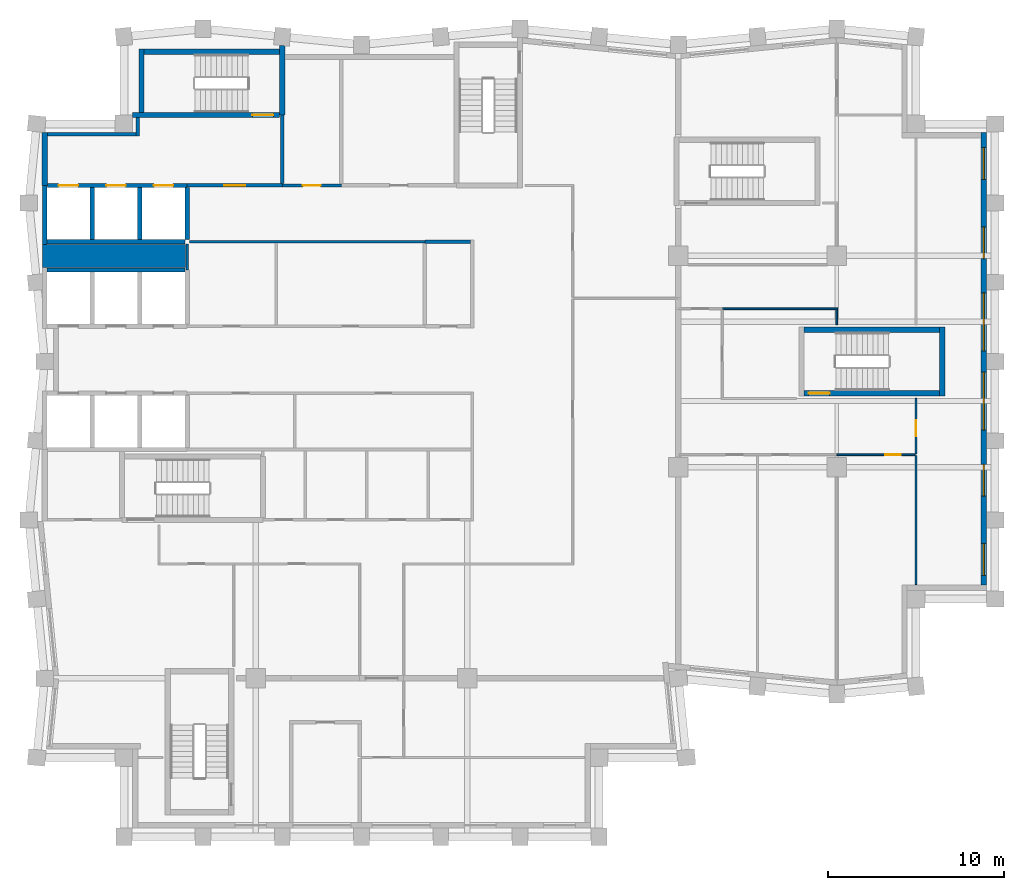
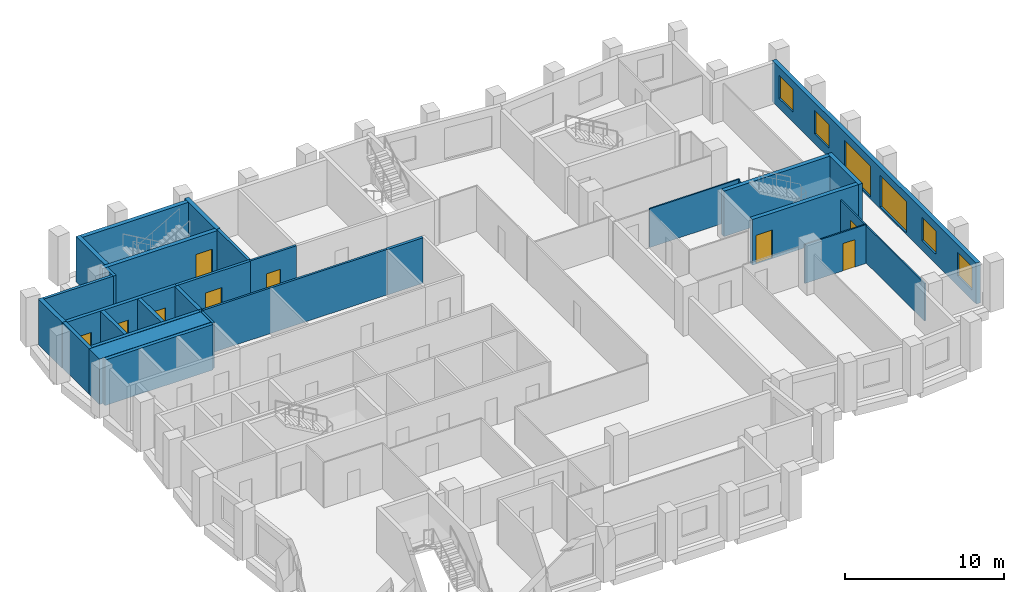
# One storey, part 5 of 8: 30 walls, 9 doors, 6 windows, 15 openings.
"""IFC4 building model written with IfcOpenShell, lengths in metres."""

import ifcopenshell
import ifcopenshell.guid

model = None  # the IFC model being written
_history = None  # IfcOwnerHistory: only IFC2X3 demands one
_inside = {}  # id of a spatial element -> (the spatial element, [elements in it])
_under = {}  # id of a project, library or spatial element -> (it, [spatial elements below it])
_declared = {}  # id of a project -> (the project, [libraries it declares])
_typed = {}  # id of a type object -> (the type object, [elements of that type])
_made_of = {}  # id of a material, layer set ... -> (it, [elements and type objects made of it])


def new_model(schema):
    """Start an empty IFC model of exactly this schema.

    Asked for "IFC4X3", IfcOpenShell would pick the latest addendum, in which some entities
    have other attributes; the version numbers below select the first issue.
    IFC2X3 requires an IfcOwnerHistory on every rooted entity: one is made here for all.
    """
    global model, _history
    if schema == "IFC4X3":
        model = ifcopenshell.file(schema_version=(4, 3, 0, 0))
    else:
        model = ifcopenshell.file(schema=schema)
    _inside.clear()
    _under.clear()
    _declared.clear()
    _typed.clear()
    _made_of.clear()
    _history = None
    if model.schema == "IFC2X3":
        org = make("IfcOrganization", Name="unknown")
        user = make(
            "IfcPersonAndOrganization",
            ThePerson=make("IfcPerson", FamilyName="unknown"),
            TheOrganization=org,
        )
        app = make(
            "IfcApplication",
            ApplicationDeveloper=org,
            Version="unknown",
            ApplicationFullName="unknown",
            ApplicationIdentifier="unknown",
        )
        _history = make(
            "IfcOwnerHistory",
            OwningUser=user,
            OwningApplication=app,
            ChangeAction="ADDED",
            CreationDate=0,
        )
    return model


def make(cls, **values):
    """One entity of the class cls with the attributes given. An attribute that is None is left unset."""
    return model.create_entity(
        cls, **{name: value for name, value in values.items() if value is not None}
    )


def rooted(cls, **values):
    """An entity with a GlobalId (a new one), such as an element, a storey or a relation."""
    return make(cls, GlobalId=ifcopenshell.guid.new(), OwnerHistory=_history, **values)


def si_unit(unit_type, name, prefix=None):
    """IfcSIUnit, for example si_unit("LENGTHUNIT", "METRE", prefix="MILLI")."""
    return make("IfcSIUnit", UnitType=unit_type, Prefix=prefix, Name=name)


def assignment(units):
    """IfcUnitAssignment: the units of a project."""
    return None if units is None else make("IfcUnitAssignment", Units=units)


def point(xyz):
    """IfcCartesianPoint."""
    return None if xyz is None else make("IfcCartesianPoint", Coordinates=xyz)


def direction(xyz):
    """IfcDirection."""
    return None if xyz is None else make("IfcDirection", DirectionRatios=xyz)


def frame(location, z_axis=None, x_axis=None):
    """IfcAxis2Placement3D, a coordinate frame: its origin and axes. An axis left out is left unset."""
    return make(
        "IfcAxis2Placement3D",
        Location=point(location),
        Axis=direction(z_axis),
        RefDirection=direction(x_axis),
    )


def frame_2d(location, x_axis=None):
    """IfcAxis2Placement2D, a coordinate frame in the plane: its origin and x axis."""
    return make(
        "IfcAxis2Placement2D", Location=point(location), RefDirection=direction(x_axis)
    )


def origin():
    """The frame at (0, 0, 0) with its axes left unset."""
    return frame((0.0, 0.0, 0.0))


def place(relative_to, where):
    """IfcLocalPlacement: puts the frame where relative to a parent placement (None: the world)."""
    return make(
        "IfcLocalPlacement", PlacementRelTo=relative_to, RelativePlacement=where
    )


def context(
    kind, dimensions, precision=None, world=None, true_north=None, identifier=None
):
    """IfcGeometricRepresentationContext, for example the 3D "Model" context."""
    return make(
        "IfcGeometricRepresentationContext",
        ContextIdentifier=identifier,
        ContextType=kind,
        CoordinateSpaceDimension=dimensions,
        Precision=precision,
        WorldCoordinateSystem=world,
        TrueNorth=true_north,
    )


def subcontext(parent, identifier, kind, view, scale=None):
    """IfcGeometricRepresentationSubContext, for example "Body" below "Model"."""
    return make(
        "IfcGeometricRepresentationSubContext",
        ContextIdentifier=identifier,
        ContextType=kind,
        ParentContext=parent,
        TargetScale=scale,
        TargetView=view,
    )


def project(units=None, contexts=None):
    """IfcProject with its units and contexts."""
    return rooted(
        "IfcProject",
        Name="project",
        RepresentationContexts=contexts,
        UnitsInContext=assignment(units),
    )


def spatial(cls, under=None, at=None, **own):
    """A site, building, storey or space (cls), placed at a placement, below another one or the project."""
    s = rooted(cls, ObjectPlacement=at, **own)
    if under is not None:
        _under.setdefault(under.id(), (under, []))[1].append(s)
    return s


def profile(cls, at=None, kind="AREA", **sizes):
    """A parametric profile (cls). Its sizes go by their IFC names, for example OverallWidth=200.0."""
    return make(cls, ProfileType=kind, Position=at, **sizes)


def rectangle(**sizes):
    """IfcRectangleProfileDef."""
    return profile("IfcRectangleProfileDef", **sizes)


def extrude(swept, where, along, depth):
    """IfcExtrudedAreaSolid: the profile swept, set in the frame where, extruded along a direction by depth."""
    return make(
        "IfcExtrudedAreaSolid",
        SweptArea=swept,
        Position=where,
        ExtrudedDirection=direction(along),
        Depth=depth,
    )


def shape(context_of_items, identifier, shape_type, items):
    """IfcShapeRepresentation: the items that make up one representation, for example the "Body"."""
    return make(
        "IfcShapeRepresentation",
        ContextOfItems=context_of_items,
        RepresentationIdentifier=identifier,
        RepresentationType=shape_type,
        Items=items,
    )


def material(Name=None, Category=None):
    """IfcMaterial."""
    return make("IfcMaterial", Name=Name, Category=Category)


def layer(
    of_material, thickness, ventilated=None, Name=None, Category=None, Priority=None
):
    """IfcMaterialLayer: one layer of a wall or slab, of a material (None: an air gap)."""
    return make(
        "IfcMaterialLayer",
        Material=of_material,
        LayerThickness=thickness,
        IsVentilated=ventilated,
        Name=Name,
        Category=Category,
        Priority=Priority,
    )


def layer_set(layers, Name=None):
    """IfcMaterialLayerSet."""
    return make("IfcMaterialLayerSet", MaterialLayers=layers, LayerSetName=Name)


def made_of(thing, what):
    """Note that an element or type object is made of a material, layer set ...; save() writes the relation."""
    if what is not None:
        _made_of.setdefault(what.id(), (what, []))[1].append(thing)
    return thing


def type_object(cls, material=None, **own):
    """A type object (cls), such as IfcWallType, which elements share."""
    return made_of(rooted(cls, **own), material)


def element(
    cls,
    number,
    at=None,
    inside=None,
    cuts=None,
    type_object=None,
    material=None,
    context=None,
    identifier="Body",
    shape_type=None,
    held_by="IfcProductDefinitionShape",
    body=None,
    shapes=None,
    **own,
):
    """One element of the class cls, such as IfcWall. Its Tag is "e" and its number.

    at: its placement. inside: the storey or other place that contains it. cuts: it is an
    opening in that element (IfcRelVoidsElement). A single representation is given by context,
    identifier, shape_type and body (its items); several are given by shapes. held_by: the class
    of the entity that holds the representations. save() writes the other relations.
    """
    e = rooted(cls, Tag="e%d" % number, ObjectPlacement=at, **own)
    if body is not None:
        shapes = [shape(context, identifier, shape_type, body)]
    if shapes is not None:
        e.Representation = make(held_by, Representations=shapes)
    if inside is not None:
        _inside.setdefault(inside.id(), (inside, []))[1].append(e)
    if cuts is not None:
        rooted(
            "IfcRelVoidsElement", RelatingBuildingElement=cuts, RelatedOpeningElement=e
        )
    if type_object is not None:
        _typed.setdefault(type_object.id(), (type_object, []))[1].append(e)
    return made_of(e, material)


def fill(opening, filler):
    """IfcRelFillsElement: the door or window that sits in an opening."""
    return rooted(
        "IfcRelFillsElement",
        RelatingOpeningElement=opening,
        RelatedBuildingElement=filler,
    )


def aggregate(whole, parts):
    """IfcRelAggregates: a whole, such as a stair, and the parts it consists of."""
    return rooted("IfcRelAggregates", RelatingObject=whole, RelatedObjects=parts)


def save(model, path):
    """Write the relations noted so far, then the file.

    IfcRelAggregates (storeys below a building ...), IfcRelContainedInSpatialStructure (elements
    in a storey), IfcRelDefinesByType, IfcRelAssociatesMaterial and IfcRelDeclares: one each for
    every whole, place, type object, material and project.
    """
    for whole, parts in _under.values():
        aggregate(whole, parts)
    for where, things in _inside.values():
        rooted(
            "IfcRelContainedInSpatialStructure",
            RelatedElements=things,
            RelatingStructure=where,
        )
    for kind, things in _typed.values():
        rooted("IfcRelDefinesByType", RelatedObjects=things, RelatingType=kind)
    for what, things in _made_of.values():
        rooted("IfcRelAssociatesMaterial", RelatedObjects=things, RelatingMaterial=what)
    for by, libraries in _declared.values():
        rooted("IfcRelDeclares", RelatingContext=by, RelatedDefinitions=libraries)
    model.write(path)


model = new_model("IFC4")

# Units and contexts
model_context = context("Model", 3, precision=1e-05, world=origin(), true_north=direction((0.0, 1.0)))
body_context = subcontext(model_context, "Body", "Model", "MODEL_VIEW")
ifc_project = project(units=[si_unit("LENGTHUNIT", "METRE"), si_unit("AREAUNIT", "SQUARE_METRE"), si_unit("VOLUMEUNIT", "CUBIC_METRE"), si_unit("PLANEANGLEUNIT", "RADIAN"), si_unit("MASSUNIT", "GRAM", prefix="KILO")], contexts=[model_context])

# Site, building, storey
site_placement = place(None, origin())
site = spatial("IfcSite", under=ifc_project, at=site_placement, CompositionType="ELEMENT")
building_placement = place(site_placement, origin())
building = spatial("IfcBuilding", under=site, at=building_placement, Name="Brondeck Convention Tower", CompositionType="ELEMENT")
storey_placement = place(building_placement, frame((0.0, 0.0, 225.39990234375)))
storey = spatial("IfcBuildingStorey", under=building, at=storey_placement, Name="L55", CompositionType="ELEMENT", Elevation=225.39990234375)

# Walls
ifc_material_1 = material(Name="Concrete C50/60", Category="concrete")
ifc_layer_1 = layer(ifc_material_1, 0.300048828125)
ifc_layer_set_1 = layer_set([ifc_layer_1], Name="Core outer wall 300 Concrete C50/60")
wall_type_1 = type_object("IfcWallType", Name="Core outer wall 300 Concrete C50/60", PredefinedType="SHEAR", material=ifc_layer_set_1)
wall_1_placement = place(storey_placement, frame((0.0, 55.0, 0.0), z_axis=(0.0, 0.0, 1.0), x_axis=(0.0, 1.0, 0.0)))
element("IfcWall", 1, at=wall_1_placement, inside=storey, type_object=wall_type_1, Name="L55 core wall", PredefinedType="SHEAR", context=body_context, shape_type="SweptSolid", body=[
    extrude(rectangle(XDim=3.0, YDim=0.300048828125, at=frame_2d((1.5, 0.0))), origin(), (0.0, 0.0, 1.0), 3.5),
])
ifc_material_2 = material(Name="Fire-rated gypsum board partition")
ifc_layer_2 = layer(ifc_material_2, 0.14990234375)
ifc_layer_set_2 = layer_set([ifc_layer_2], Name="Core partition 150 EI 60")
wall_type_2 = type_object("IfcWallType", Name="Core partition 150 EI 60", PredefinedType="PARTITIONING", material=ifc_layer_set_2)
wall_2_placement = place(storey_placement, frame((8.22509765625, 51.800048828125, 0.0), z_axis=(0.0, 0.0, 1.0), x_axis=(1.0, 0.0, 0.0)))
element("IfcWall", 2, at=wall_2_placement, inside=storey, type_object=wall_type_2, Name="L55 core wall", PredefinedType="PARTITIONING", context=body_context, shape_type="SweptSolid", body=[
    extrude(rectangle(XDim=13.375, YDim=0.14990234375, at=frame_2d((6.6875, 0.0))), origin(), (0.0, 0.0, 1.0), 3.5),
])

# Wall, opening, door
wall_3_placement = place(storey_placement, frame((13.5, 55.0, 0.0), z_axis=(0.0, 0.0, 1.0), x_axis=(1.0, 0.0, 0.0)))
wall_3 = element("IfcWall", 3, at=wall_3_placement, inside=storey, type_object=wall_type_2, Name="L55 core wall", PredefinedType="PARTITIONING", context=body_context, shape_type="SweptSolid", body=[
    extrude(rectangle(XDim=3.35009765625, YDim=0.14990234375, at=frame_2d((1.675048828125, 0.0))), origin(), (0.0, 0.0, 1.0), 3.5),
])
opening_1_placement = place(wall_3_placement, frame((1.175048828125, 0.0, 0.0)))
opening_1 = element("IfcOpeningElement", 4, at=opening_1_placement, cuts=wall_3, Name="Opening C30-12", PredefinedType="OPENING", context=body_context, shape_type="SweptSolid", body=[
    extrude(rectangle(XDim=1.0, YDim=2.10009765625, at=frame_2d((0.5, 1.050048828125))), frame((0.0, 0.0849609375, 0.0), z_axis=(0.0, -1.0, 0.0), x_axis=(1.0, 0.0, 0.0)), (0.0, 0.0, 1.0), 0.169921875),
])
ifc_material_3 = material(Name="Steel fire door", Category="steel")
door_type_1 = type_object("IfcDoorType", Name="Room door 1000x2100 EI 60", OperationType="NOTDEFINED", PredefinedType="DOOR", material=ifc_material_3)
door_1_placement = place(opening_1_placement, origin())
door_1 = element("IfcDoor", 5, at=door_1_placement, inside=storey, type_object=door_type_1, Name="L55 Room door NE-1", OperationType="SINGLE_SWING_LEFT", OverallHeight=2.10009765625, OverallWidth=1.0, PredefinedType="DOOR", context=body_context, shape_type="SweptSolid", body=[
    extrude(rectangle(XDim=1.0, YDim=2.10009765625, at=frame_2d((0.5, 1.050048828125))), frame((0.0, 0.02490234375, 0.0), z_axis=(0.0, -1.0, 0.0), x_axis=(1.0, 0.0, 0.0)), (0.0, 0.0, 1.0), 0.050048828125),
])
fill(opening_1, door_1)

# Walls
wall_4_placement = place(storey_placement, frame((8.10009765625, 50.199951171875, 0.0), z_axis=(0.0, 0.0, 1.0), x_axis=(0.0, 1.0, 0.0)))
element("IfcWall", 6, at=wall_4_placement, inside=storey, type_object=wall_type_2, Name="L55 core wall", PredefinedType="PARTITIONING", context=body_context, shape_type="SweptSolid", body=[
    extrude(rectangle(XDim=1.47509765625, YDim=0.14990234375, at=frame_2d((0.737548828125, 0.0))), origin(), (0.0, 0.0, 1.0), 3.5),
])
ifc_layer_3 = layer(ifc_material_1, 1.300048828125)
ifc_layer_set_3 = layer_set([ifc_layer_3], Name="Core shear wall 1300 Concrete C50/60")
wall_type_3 = type_object("IfcWallType", Name="Core shear wall 1300 Concrete C50/60", PredefinedType="SHEAR", material=ifc_layer_set_3)
wall_5_placement = place(storey_placement, frame((-0.125, 51.0, 0.0), z_axis=(0.0, 0.0, 1.0), x_axis=(1.0, 0.0, 0.0)))
element("IfcWall", 7, at=wall_5_placement, inside=storey, type_object=wall_type_3, Name="L55 core wall", PredefinedType="SHEAR", context=body_context, shape_type="SweptSolid", body=[
    extrude(rectangle(XDim=8.125, YDim=1.300048828125, at=frame_2d((4.0625, 0.0))), origin(), (0.0, 0.0, 1.0), 3.5),
])

# Wall, openings, windows
ifc_material_4 = material(Name="Precast concrete C50/60 bronze finish", Category="concrete")
ifc_layer_4 = layer(ifc_material_4, 0.070068359375, Name="Bronze precast facing")
ifc_material_5 = material(Name="Mineral wool")
ifc_layer_5 = layer(ifc_material_5, 0.159912109375, Name="Insulation")
ifc_material_6 = material(Name="Concrete C35/45", Category="concrete")
ifc_layer_6 = layer(ifc_material_6, 0.070068359375, Name="Backing")
ifc_layer_set_4 = layer_set([ifc_layer_4, ifc_layer_5, ifc_layer_6], Name="External infill wall, precast concrete C50/60 bronze facing")
wall_type_4 = type_object("IfcWallType", Name="External infill wall, precast concrete C50/60 bronze facing", PredefinedType="SOLIDWALL", material=ifc_layer_set_4)
wall_6_placement = place(storey_placement, frame((53.35009765625, 58.0, 0.0), z_axis=(0.0, 0.0, 1.0), x_axis=(0.0, -1.0, 0.0)))
wall_6 = element("IfcWall", 8, at=wall_6_placement, inside=storey, type_object=wall_type_4, Name="ENV-EW-L55-P2-A-E54-01", PredefinedType="SOLIDWALL", context=body_context, shape_type="SweptSolid", body=[
    extrude(rectangle(XDim=25.701904296875, YDim=0.300048828125, at=frame_2d((12.85107421875, 0.0))), origin(), (0.0, 0.0, 1.0), 3.150146484375),
])
opening_2_placement = place(wall_6_placement, frame((0.85009765625, 0.0, 0.75)))
opening_2 = element("IfcOpeningElement", 9, at=opening_2_placement, cuts=wall_6, Name="Opening W10", PredefinedType="OPENING", context=body_context, shape_type="SweptSolid", body=[
    extrude(rectangle(XDim=1.800048828125, YDim=1.800048828125, at=frame_2d((0.89990234375, 0.89990234375))), frame((0.0, 0.159912109375, 0.0), z_axis=(0.0, -1.0, 0.0), x_axis=(1.0, 0.0, 0.0)), (0.0, 0.0, 1.0), 0.320068359375),
])
opening_3_placement = place(wall_6_placement, frame((5.35009765625, 0.0, 0.75)))
opening_3 = element("IfcOpeningElement", 10, at=opening_3_placement, cuts=wall_6, Name="Opening W10", PredefinedType="OPENING", context=body_context, shape_type="SweptSolid", body=[
    extrude(rectangle(XDim=1.800048828125, YDim=1.800048828125, at=frame_2d((0.89990234375, 0.89990234375))), frame((0.0, 0.159912109375, 0.0), z_axis=(0.0, -1.0, 0.0), x_axis=(1.0, 0.0, 0.0)), (0.0, 0.0, 1.0), 0.320068359375),
])
opening_4_placement = place(wall_6_placement, frame((9.10009765625, 0.0, 0.14990234375)))
opening_4 = element("IfcOpeningElement", 11, at=opening_4_placement, cuts=wall_6, Name="Opening W9", PredefinedType="OPENING", context=body_context, shape_type="SweptSolid", body=[
    extrude(rectangle(XDim=3.300048828125, YDim=2.39990234375, at=frame_2d((1.64990234375, 1.199951171875))), frame((0.0, 0.159912109375, 0.0), z_axis=(0.0, -1.0, 0.0), x_axis=(1.0, 0.0, 0.0)), (0.0, 0.0, 1.0), 0.320068359375),
])
opening_5_placement = place(wall_6_placement, frame((13.60009765625, 0.0, 0.14990234375)))
opening_5 = element("IfcOpeningElement", 12, at=opening_5_placement, cuts=wall_6, Name="Opening W9", PredefinedType="OPENING", context=body_context, shape_type="SweptSolid", body=[
    extrude(rectangle(XDim=3.300048828125, YDim=2.39990234375, at=frame_2d((1.64990234375, 1.199951171875))), frame((0.0, 0.159912109375, 0.0), z_axis=(0.0, -1.0, 0.0), x_axis=(1.0, 0.0, 0.0)), (0.0, 0.0, 1.0), 0.320068359375),
])
opening_6_placement = place(wall_6_placement, frame((18.85009765625, 0.0, 0.75)))
opening_6 = element("IfcOpeningElement", 13, at=opening_6_placement, cuts=wall_6, Name="Opening W10", PredefinedType="OPENING", context=body_context, shape_type="SweptSolid", body=[
    extrude(rectangle(XDim=1.800048828125, YDim=1.800048828125, at=frame_2d((0.89990234375, 0.89990234375))), frame((0.0, 0.159912109375, 0.0), z_axis=(0.0, -1.0, 0.0), x_axis=(1.0, 0.0, 0.0)), (0.0, 0.0, 1.0), 0.320068359375),
])
opening_7_placement = place(wall_6_placement, frame((23.35009765625, 0.0, 0.75)))
opening_7 = element("IfcOpeningElement", 14, at=opening_7_placement, cuts=wall_6, Name="Opening W10", PredefinedType="OPENING", context=body_context, shape_type="SweptSolid", body=[
    extrude(rectangle(XDim=1.800048828125, YDim=1.800048828125, at=frame_2d((0.89990234375, 0.89990234375))), frame((0.0, 0.159912109375, 0.0), z_axis=(0.0, -1.0, 0.0), x_axis=(1.0, 0.0, 0.0)), (0.0, 0.0, 1.0), 0.320068359375),
])
ifc_material_7 = material(Name="Bronze tinted double glazing", Category="glass")
window_type_1 = type_object("IfcWindowType", Name="Glazed flute window, bronze tinted", PartitioningType="SINGLE_PANEL", PredefinedType="WINDOW", material=ifc_material_7)
window_1_placement = place(opening_4_placement, origin())
window_1 = element("IfcWindow", 15, at=window_1_placement, inside=storey, type_object=window_type_1, Name="ENV-WN-L55-P2-A-E54-04", OverallHeight=2.39990234375, OverallWidth=3.300048828125, PartitioningType="SINGLE_PANEL", PredefinedType="WINDOW", context=body_context, shape_type="SweptSolid", body=[
    extrude(rectangle(XDim=3.300048828125, YDim=2.39990234375, at=frame_2d((1.64990234375, 1.199951171875))), frame((0.0, 0.030029296875, 0.0), z_axis=(0.0, -1.0, 0.0), x_axis=(1.0, 0.0, 0.0)), (0.0, 0.0, 1.0), 0.06005859375),
])
fill(opening_4, window_1)
window_2_placement = place(opening_5_placement, origin())
window_2 = element("IfcWindow", 16, at=window_2_placement, inside=storey, type_object=window_type_1, Name="ENV-WN-L55-P2-A-E54-03", OverallHeight=2.39990234375, OverallWidth=3.300048828125, PartitioningType="SINGLE_PANEL", PredefinedType="WINDOW", context=body_context, shape_type="SweptSolid", body=[
    extrude(rectangle(XDim=3.300048828125, YDim=2.39990234375, at=frame_2d((1.64990234375, 1.199951171875))), frame((0.0, 0.030029296875, 0.0), z_axis=(0.0, -1.0, 0.0), x_axis=(1.0, 0.0, 0.0)), (0.0, 0.0, 1.0), 0.06005859375),
])
fill(opening_5, window_2)
window_type_2 = type_object("IfcWindowType", Name="Punched window, bronze tinted", PartitioningType="SINGLE_PANEL", PredefinedType="WINDOW", material=ifc_material_7)
window_3_placement = place(opening_2_placement, origin())
window_3 = element("IfcWindow", 17, at=window_3_placement, inside=storey, type_object=window_type_2, Name="ENV-WN-L55-P2-A-E54-06", OverallHeight=1.800048828125, OverallWidth=1.800048828125, PartitioningType="SINGLE_PANEL", PredefinedType="WINDOW", context=body_context, shape_type="SweptSolid", body=[
    extrude(rectangle(XDim=1.800048828125, YDim=1.800048828125, at=frame_2d((0.89990234375, 0.89990234375))), frame((0.0, 0.030029296875, 0.0), z_axis=(0.0, -1.0, 0.0), x_axis=(1.0, 0.0, 0.0)), (0.0, 0.0, 1.0), 0.06005859375),
])
fill(opening_2, window_3)
window_4_placement = place(opening_3_placement, origin())
window_4 = element("IfcWindow", 18, at=window_4_placement, inside=storey, type_object=window_type_2, Name="ENV-WN-L55-P2-A-E54-05", OverallHeight=1.800048828125, OverallWidth=1.800048828125, PartitioningType="SINGLE_PANEL", PredefinedType="WINDOW", context=body_context, shape_type="SweptSolid", body=[
    extrude(rectangle(XDim=1.800048828125, YDim=1.800048828125, at=frame_2d((0.89990234375, 0.89990234375))), frame((0.0, 0.030029296875, 0.0), z_axis=(0.0, -1.0, 0.0), x_axis=(1.0, 0.0, 0.0)), (0.0, 0.0, 1.0), 0.06005859375),
])
fill(opening_3, window_4)
window_5_placement = place(opening_6_placement, origin())
window_5 = element("IfcWindow", 19, at=window_5_placement, inside=storey, type_object=window_type_2, Name="ENV-WN-L55-P2-A-E54-02", OverallHeight=1.800048828125, OverallWidth=1.800048828125, PartitioningType="SINGLE_PANEL", PredefinedType="WINDOW", context=body_context, shape_type="SweptSolid", body=[
    extrude(rectangle(XDim=1.800048828125, YDim=1.800048828125, at=frame_2d((0.89990234375, 0.89990234375))), frame((0.0, 0.030029296875, 0.0), z_axis=(0.0, -1.0, 0.0), x_axis=(1.0, 0.0, 0.0)), (0.0, 0.0, 1.0), 0.06005859375),
])
fill(opening_6, window_5)
window_6_placement = place(opening_7_placement, origin())
window_6 = element("IfcWindow", 20, at=window_6_placement, inside=storey, type_object=window_type_2, Name="ENV-WN-L55-P2-A-E54-01", OverallHeight=1.800048828125, OverallWidth=1.800048828125, PartitioningType="SINGLE_PANEL", PredefinedType="WINDOW", context=body_context, shape_type="SweptSolid", body=[
    extrude(rectangle(XDim=1.800048828125, YDim=1.800048828125, at=frame_2d((0.89990234375, 0.89990234375))), frame((0.0, 0.030029296875, 0.0), z_axis=(0.0, -1.0, 0.0), x_axis=(1.0, 0.0, 0.0)), (0.0, 0.0, 1.0), 0.06005859375),
])
fill(opening_7, window_6)

# Wall, opening, door
ifc_layer_7 = layer(ifc_material_2, 0.199951171875)
ifc_layer_set_5 = layer_set([ifc_layer_7], Name="Firefighting lobby wall 200 EI 120")
wall_type_5 = type_object("IfcWallType", Name="Firefighting lobby wall 200 EI 120", PredefinedType="PARTITIONING", material=ifc_layer_set_5)
wall_7_placement = place(storey_placement, frame((8.10009765625, 55.0, 0.0), z_axis=(0.0, 0.0, 1.0), x_axis=(1.0, 0.0, 0.0)))
wall_7 = element("IfcWall", 21, at=wall_7_placement, inside=storey, type_object=wall_type_5, Name="L55 core wall", PredefinedType="PARTITIONING", context=body_context, shape_type="SweptSolid", body=[
    extrude(rectangle(XDim=5.39990234375, YDim=0.199951171875, at=frame_2d((2.699951171875, 0.0))), origin(), (0.0, 0.0, 1.0), 3.5),
])
opening_8_placement = place(wall_7_placement, frame((2.10009765625, 0.0, 0.0)))
opening_8 = element("IfcOpeningElement", 22, at=opening_8_placement, cuts=wall_7, Name="Opening C30-01", PredefinedType="OPENING", context=body_context, shape_type="SweptSolid", body=[
    extrude(rectangle(XDim=1.199951171875, YDim=2.199951171875, at=frame_2d((0.60009765625, 1.10009765625))), frame((0.0, 0.10986328125, 0.0), z_axis=(0.0, -1.0, 0.0), x_axis=(1.0, 0.0, 0.0)), (0.0, 0.0, 1.0), 0.219970703125),
])
door_type_2 = type_object("IfcDoorType", Name="Firefighting lobby door 1200x2200 EI 120", OperationType="NOTDEFINED", PredefinedType="DOOR", material=ifc_material_3)
door_2_placement = place(opening_8_placement, origin())
door_2 = element("IfcDoor", 23, at=door_2_placement, inside=storey, type_object=door_type_2, Name="L55 Firefighting lobby door FFL-1", OperationType="SINGLE_SWING_RIGHT", OverallHeight=2.199951171875, OverallWidth=1.199951171875, PredefinedType="DOOR", context=body_context, shape_type="SweptSolid", body=[
    extrude(rectangle(XDim=1.199951171875, YDim=2.199951171875, at=frame_2d((0.60009765625, 1.10009765625))), frame((0.0, 0.02490234375, 0.0), z_axis=(0.0, -1.0, 0.0), x_axis=(1.0, 0.0, 0.0)), (0.0, 0.0, 1.0), 0.050048828125),
])
fill(opening_8, door_2)

# Walls
wall_8_placement = place(storey_placement, frame((0.14990234375, 57.89990234375, 0.0), z_axis=(0.0, 0.0, 1.0), x_axis=(1.0, 0.0, 0.0)))
element("IfcWall", 24, at=wall_8_placement, inside=storey, type_object=wall_type_5, Name="L55 core wall", PredefinedType="PARTITIONING", context=body_context, shape_type="SweptSolid", body=[
    extrude(rectangle(XDim=5.050048828125, YDim=0.199951171875, at=frame_2d((2.52490234375, 0.0))), origin(), (0.0, 0.0, 1.0), 3.5),
])
wall_9_placement = place(storey_placement, frame((5.300048828125, 57.800048828125, 0.0), z_axis=(0.0, 0.0, 1.0), x_axis=(0.0, 1.0, 0.0)))
element("IfcWall", 25, at=wall_9_placement, inside=storey, type_object=wall_type_5, Name="L55 core wall", PredefinedType="PARTITIONING", context=body_context, shape_type="SweptSolid", body=[
    extrude(rectangle(XDim=1.050048828125, YDim=0.199951171875, at=frame_2d((0.52490234375, 0.0))), origin(), (0.0, 0.0, 1.0), 3.5),
])
wall_10_placement = place(storey_placement, frame((13.5, 55.10009765625, 0.0), z_axis=(0.0, 0.0, 1.0), x_axis=(0.0, 1.0, 0.0)))
element("IfcWall", 26, at=wall_10_placement, inside=storey, type_object=wall_type_5, Name="L55 core wall", PredefinedType="PARTITIONING", context=body_context, shape_type="SweptSolid", body=[
    extrude(rectangle(XDim=3.89990234375, YDim=0.199951171875, at=frame_2d((1.949951171875, 0.0))), origin(), (0.0, 0.0, 1.0), 3.5),
])
ifc_layer_8 = layer(ifc_material_1, 0.25)
ifc_layer_set_6 = layer_set([ifc_layer_8], Name="Lift shaft wall 250 Concrete C50/60")
wall_type_6 = type_object("IfcWallType", Name="Lift shaft wall 250 Concrete C50/60", PredefinedType="SHEAR", material=ifc_layer_set_6)
for number, where, z_axis, x_axis, name in (
    (27, (0.125, 50.199951171875, 0.0), (0.0, 0.0, 1.0), (1.0, 0.0, 0.0), "L55 core wall"),
    (28, (0.125, 51.800048828125, 0.0), (0.0, 0.0, 1.0), (1.0, 0.0, 0.0), "L55 core wall"),
):
    element("IfcWall", number, at=place(storey_placement, frame(where, z_axis=z_axis, x_axis=x_axis)), inside=storey, type_object=wall_type_6, Name=name, PredefinedType="SHEAR", context=body_context, shape_type="SweptSolid", body=[
        extrude(rectangle(XDim=7.85009765625, YDim=0.25, at=frame_2d((3.925048828125, 0.0))), origin(), (0.0, 0.0, 1.0), 3.5),
    ])

# Wall, openings, doors
wall_11_placement = place(storey_placement, frame((0.14990234375, 55.0, 0.0), z_axis=(0.0, 0.0, 1.0), x_axis=(1.0, 0.0, 0.0)))
wall_11 = element("IfcWall", 29, at=wall_11_placement, inside=storey, type_object=wall_type_6, Name="L55 core wall", PredefinedType="SHEAR", context=body_context, shape_type="SweptSolid", body=[
    extrude(rectangle(XDim=7.9501953125, YDim=0.25, at=frame_2d((3.97509765625, 0.0))), origin(), (0.0, 0.0, 1.0), 3.5),
])
opening_9_placement = place(wall_11_placement, frame((0.64990234375, 0.0, 0.0)))
opening_9 = element("IfcOpeningElement", 30, at=opening_9_placement, cuts=wall_11, Name="Opening C30-20", PredefinedType="OPENING", context=body_context, shape_type="SweptSolid", body=[
    extrude(rectangle(XDim=1.10009765625, YDim=2.10009765625, at=frame_2d((0.550048828125, 1.050048828125))), frame((0.0, 0.135009765625, 0.0), z_axis=(0.0, -1.0, 0.0), x_axis=(1.0, 0.0, 0.0)), (0.0, 0.0, 1.0), 0.27001953125),
])
opening_10_placement = place(wall_11_placement, frame((3.35009765625, 0.0, 0.0)))
opening_10 = element("IfcOpeningElement", 31, at=opening_10_placement, cuts=wall_11, Name="Opening C30-21", PredefinedType="OPENING", context=body_context, shape_type="SweptSolid", body=[
    extrude(rectangle(XDim=1.10009765625, YDim=2.10009765625, at=frame_2d((0.550048828125, 1.050048828125))), frame((0.0, 0.135009765625, 0.0), z_axis=(0.0, -1.0, 0.0), x_axis=(1.0, 0.0, 0.0)), (0.0, 0.0, 1.0), 0.27001953125),
])
opening_11_placement = place(wall_11_placement, frame((6.050048828125, 0.0, 0.0)))
opening_11 = element("IfcOpeningElement", 32, at=opening_11_placement, cuts=wall_11, Name="Opening C30-22", PredefinedType="OPENING", context=body_context, shape_type="SweptSolid", body=[
    extrude(rectangle(XDim=1.10009765625, YDim=2.10009765625, at=frame_2d((0.550048828125, 1.050048828125))), frame((0.0, 0.135009765625, 0.0), z_axis=(0.0, -1.0, 0.0), x_axis=(1.0, 0.0, 0.0)), (0.0, 0.0, 1.0), 0.27001953125),
])
ifc_material_8 = material(Name="Stainless steel lift door", Category="steel")
door_type_3 = type_object("IfcDoorType", Name="Lift landing door 1100x2100 EI 180", OperationType="DOUBLE_DOOR_SLIDING", PredefinedType="DOOR", material=ifc_material_8)
door_3_placement = place(opening_9_placement, origin())
door_3 = element("IfcDoor", 33, at=door_3_placement, inside=storey, type_object=door_type_3, Name="L55 Lift landing door FF1", OperationType="DOUBLE_DOOR_SLIDING", OverallHeight=2.10009765625, OverallWidth=1.10009765625, PredefinedType="DOOR", context=body_context, shape_type="SweptSolid", body=[
    extrude(rectangle(XDim=1.10009765625, YDim=2.10009765625, at=frame_2d((0.550048828125, 1.050048828125))), frame((0.0, 0.02490234375, 0.0), z_axis=(0.0, -1.0, 0.0), x_axis=(1.0, 0.0, 0.0)), (0.0, 0.0, 1.0), 0.050048828125),
])
fill(opening_9, door_3)
door_4_placement = place(opening_10_placement, origin())
door_4 = element("IfcDoor", 34, at=door_4_placement, inside=storey, type_object=door_type_3, Name="L55 Lift landing door FF2", OperationType="DOUBLE_DOOR_SLIDING", OverallHeight=2.10009765625, OverallWidth=1.10009765625, PredefinedType="DOOR", context=body_context, shape_type="SweptSolid", body=[
    extrude(rectangle(XDim=1.10009765625, YDim=2.10009765625, at=frame_2d((0.550048828125, 1.050048828125))), frame((0.0, 0.02490234375, 0.0), z_axis=(0.0, -1.0, 0.0), x_axis=(1.0, 0.0, 0.0)), (0.0, 0.0, 1.0), 0.050048828125),
])
fill(opening_10, door_4)
door_5_placement = place(opening_11_placement, origin())
door_5 = element("IfcDoor", 35, at=door_5_placement, inside=storey, type_object=door_type_3, Name="L55 Lift landing door FF3", OperationType="DOUBLE_DOOR_SLIDING", OverallHeight=2.10009765625, OverallWidth=1.10009765625, PredefinedType="DOOR", context=body_context, shape_type="SweptSolid", body=[
    extrude(rectangle(XDim=1.10009765625, YDim=2.10009765625, at=frame_2d((0.550048828125, 1.050048828125))), frame((0.0, 0.02490234375, 0.0), z_axis=(0.0, -1.0, 0.0), x_axis=(1.0, 0.0, 0.0)), (0.0, 0.0, 1.0), 0.050048828125),
])
fill(opening_11, door_5)

# Walls
wall_12_placement = place(storey_placement, frame((0.0, 51.64990234375, 0.0), z_axis=(0.0, 0.0, 1.0), x_axis=(0.0, 1.0, 0.0)))
element("IfcWall", 36, at=wall_12_placement, inside=storey, type_object=wall_type_6, Name="L55 core wall", PredefinedType="SHEAR", context=body_context, shape_type="SweptSolid", body=[
    extrude(rectangle(XDim=3.35009765625, YDim=0.25, at=frame_2d((1.675048828125, 0.0))), origin(), (0.0, 0.0, 1.0), 3.5),
])
for number, where, z_axis, x_axis, name in (
    (37, (2.699951171875, 51.925048828125, 0.0), (0.0, 0.0, 1.0), (0.0, 1.0, 0.0), "L55 core wall"),
    (38, (5.39990234375, 51.925048828125, 0.0), (0.0, 0.0, 1.0), (0.0, 1.0, 0.0), "L55 core wall"),
    (39, (8.10009765625, 51.925048828125, 0.0), (0.0, 0.0, 1.0), (0.0, 1.0, 0.0), "L55 core wall"),
):
    element("IfcWall", number, at=place(storey_placement, frame(where, z_axis=z_axis, x_axis=x_axis)), inside=storey, type_object=wall_type_6, Name=name, PredefinedType="SHEAR", context=body_context, shape_type="SweptSolid", body=[
        extrude(rectangle(XDim=2.949951171875, YDim=0.25, at=frame_2d((1.47509765625, 0.0))), origin(), (0.0, 0.0, 1.0), 3.5),
    ])
ifc_layer_9 = layer(ifc_material_2, 0.199951171875)
ifc_layer_set_7 = layer_set([ifc_layer_9], Name="Riser wall 200 EI 120")
wall_type_7 = type_object("IfcWallType", Name="Riser wall 200 EI 120", PredefinedType="PARTITIONING", material=ifc_layer_set_7)
wall_13_placement = place(storey_placement, frame((21.60009765625, 51.800048828125, 0.0), z_axis=(0.0, 0.0, 1.0), x_axis=(1.0, 0.0, 0.0)))
element("IfcWall", 40, at=wall_13_placement, inside=storey, type_object=wall_type_7, Name="L55 core wall", PredefinedType="PARTITIONING", context=body_context, shape_type="SweptSolid", body=[
    extrude(rectangle(XDim=2.599853515625, YDim=0.199951171875, at=frame_2d((1.2998046875, 0.0))), origin(), (0.0, 0.0, 1.0), 3.5),
])
ifc_material_9 = material(Name="Gypsum board partition on steel studs", Category="steel")
ifc_layer_10 = layer(ifc_material_9, 0.10009765625)
ifc_layer_set_8 = layer_set([ifc_layer_10], Name="Room partition 100")
wall_type_8 = type_object("IfcWallType", Name="Room partition 100", PredefinedType="PARTITIONING", material=ifc_layer_set_8)
wall_14_placement = place(storey_placement, frame((49.5, 32.320068359375, 0.0), z_axis=(0.0, 0.0, 1.0), x_axis=(0.0, 1.0, 0.0)))
element("IfcWall", 41, at=wall_14_placement, inside=storey, type_object=wall_type_8, Name="FLR-L55-W023", PredefinedType="PARTITIONING", context=body_context, shape_type="SweptSolid", body=[
    extrude(rectangle(XDim=7.329833984375, YDim=0.10009765625, at=frame_2d((3.6650390625, 0.0))), origin(), (0.0, 0.0, 1.0), 2.880126953125),
])

# Wall, opening, door
wall_15_placement = place(storey_placement, frame((49.449951171875, 39.699951171875, 0.0), z_axis=(0.0, 0.0, 1.0), x_axis=(-1.0, 0.0, 0.0)))
wall_15 = element("IfcWall", 42, at=wall_15_placement, inside=storey, type_object=wall_type_8, Name="FLR-L55-W034", PredefinedType="PARTITIONING", context=body_context, shape_type="SweptSolid", body=[
    extrude(rectangle(XDim=4.449951171875, YDim=0.10009765625, at=frame_2d((2.22509765625, 0.0))), origin(), (0.0, 0.0, 1.0), 2.97998046875),
])
opening_12_placement = place(wall_15_placement, frame((0.804443359375, 0.0, 0.0)))
opening_12 = element("IfcOpeningElement", 43, at=opening_12_placement, cuts=wall_15, Name="Opening OF-M-006", PredefinedType="OPENING", context=body_context, shape_type="SweptSolid", body=[
    extrude(rectangle(XDim=0.89990234375, YDim=2.10009765625, at=frame_2d((0.449951171875, 1.050048828125))), frame((0.0, 0.06005859375, 0.0), z_axis=(0.0, -1.0, 0.0), x_axis=(1.0, 0.0, 0.0)), (0.0, 0.0, 1.0), 0.1201171875),
])
ifc_material_10 = material(Name="Solid timber door leaf", Category="wood")
door_type_4 = type_object("IfcDoorType", Name="Single door 900", OperationType="NOTDEFINED", PredefinedType="DOOR", material=ifc_material_10)
door_6_placement = place(opening_12_placement, origin())
door_6 = element("IfcDoor", 44, at=door_6_placement, inside=storey, type_object=door_type_4, Name="Door OF-M-006", OperationType="SINGLE_SWING_LEFT", OverallHeight=2.10009765625, OverallWidth=0.89990234375, PredefinedType="DOOR", context=body_context, shape_type="SweptSolid", body=[
    extrude(rectangle(XDim=0.89990234375, YDim=2.10009765625, at=frame_2d((0.449951171875, 1.050048828125))), frame((0.0, 0.02490234375, 0.0), z_axis=(0.0, -1.0, 0.0), x_axis=(1.0, 0.0, 0.0)), (0.0, 0.0, 1.0), 0.050048828125),
])
fill(opening_12, door_6)

wall_16_placement = place(storey_placement, frame((49.5, 42.89990234375, 0.0), z_axis=(0.0, 0.0, 1.0), x_axis=(0.0, -1.0, 0.0)))
wall_16 = element("IfcWall", 45, at=wall_16_placement, inside=storey, type_object=wall_type_8, Name="FLR-L55-W037", PredefinedType="PARTITIONING", context=body_context, shape_type="SweptSolid", body=[
    extrude(rectangle(XDim=3.14990234375, YDim=0.10009765625, at=frame_2d((1.574951171875, 0.0))), origin(), (0.0, 0.0, 1.0), 2.880126953125),
])
opening_13_placement = place(wall_16_placement, frame((1.25, 0.0, 0.0)))
opening_13 = element("IfcOpeningElement", 46, at=opening_13_placement, cuts=wall_16, Name="Opening OF-M-003", PredefinedType="OPENING", context=body_context, shape_type="SweptSolid", body=[
    extrude(rectangle(XDim=0.89990234375, YDim=2.10009765625, at=frame_2d((0.449951171875, 1.050048828125))), frame((0.0, 0.06005859375, 0.0), z_axis=(0.0, -1.0, 0.0), x_axis=(1.0, 0.0, 0.0)), (0.0, 0.0, 1.0), 0.1201171875),
])
door_7_placement = place(opening_13_placement, origin())
door_7 = element("IfcDoor", 47, at=door_7_placement, inside=storey, type_object=door_type_4, Name="Door OF-M-003", OperationType="SINGLE_SWING_LEFT", OverallHeight=2.10009765625, OverallWidth=0.89990234375, PredefinedType="DOOR", context=body_context, shape_type="SweptSolid", body=[
    extrude(rectangle(XDim=0.89990234375, YDim=2.10009765625, at=frame_2d((0.449951171875, 1.050048828125))), frame((0.0, 0.02490234375, 0.0), z_axis=(0.0, -1.0, 0.0), x_axis=(1.0, 0.0, 0.0)), (0.0, 0.0, 1.0), 0.050048828125),
])
fill(opening_13, door_7)

# Walls
wall_17_placement = place(storey_placement, frame((45.0, 47.949951171875, 0.0), z_axis=(0.0, 0.0, 1.0), x_axis=(0.0, -1.0, 0.0)))
element("IfcWall", 48, at=wall_17_placement, inside=storey, type_object=wall_type_8, Name="FLR-L55-W040", PredefinedType="PARTITIONING", context=body_context, shape_type="SweptSolid", body=[
    extrude(rectangle(XDim=0.849853515625, YDim=0.10009765625, at=frame_2d((0.4248046875, 0.0))), origin(), (0.0, 0.0, 1.0), 2.880126953125),
])
wall_18_placement = place(storey_placement, frame((38.5, 48.0, 0.0), z_axis=(0.0, 0.0, 1.0), x_axis=(1.0, 0.0, 0.0)))
element("IfcWall", 49, at=wall_18_placement, inside=storey, type_object=wall_type_8, Name="FLR-L55-W042", PredefinedType="PARTITIONING", context=body_context, shape_type="SweptSolid", body=[
    extrude(rectangle(XDim=6.550048828125, YDim=0.10009765625, at=frame_2d((3.27490234375, 0.0))), origin(), (0.0, 0.0, 1.0), 2.97998046875),
])

# Wall, opening, door
ifc_layer_11 = layer(ifc_material_1, 0.300048828125)
ifc_layer_set_9 = layer_set([ifc_layer_11], Name="Stair enclosure wall 300 Concrete C50/60")
wall_type_9 = type_object("IfcWallType", Name="Stair enclosure wall 300 Concrete C50/60", PredefinedType="SHEAR", material=ifc_layer_set_9)
wall_19_placement = place(storey_placement, frame((43.14990234375, 43.199951171875, 0.0), z_axis=(0.0, 0.0, 1.0), x_axis=(1.0, 0.0, 0.0)))
wall_19 = element("IfcWall", 50, at=wall_19_placement, inside=storey, type_object=wall_type_9, Name="L55 core wall", PredefinedType="SHEAR", context=body_context, shape_type="SweptSolid", body=[
    extrude(rectangle(XDim=7.7001953125, YDim=0.300048828125, at=frame_2d((3.85009765625, 0.0))), origin(), (0.0, 0.0, 1.0), 3.5),
])
opening_14_placement = place(wall_19_placement, frame((0.25, 0.0, 0.0)))
opening_14 = element("IfcOpeningElement", 51, at=opening_14_placement, cuts=wall_19, Name="Opening C30-18", PredefinedType="OPENING", context=body_context, shape_type="SweptSolid", body=[
    extrude(rectangle(XDim=1.199951171875, YDim=2.199951171875, at=frame_2d((0.60009765625, 1.10009765625))), frame((0.0, 0.159912109375, 0.0), z_axis=(0.0, -1.0, 0.0), x_axis=(1.0, 0.0, 0.0)), (0.0, 0.0, 1.0), 0.320068359375),
])
door_type_5 = type_object("IfcDoorType", Name="Stair door 1200x2200 EI 90", OperationType="NOTDEFINED", PredefinedType="DOOR", material=ifc_material_3)
door_8_placement = place(opening_14_placement, origin())
door_8 = element("IfcDoor", 52, at=door_8_placement, inside=storey, type_object=door_type_5, Name="L55 Stair door ST-AF", OperationType="SINGLE_SWING_RIGHT", OverallHeight=2.199951171875, OverallWidth=1.199951171875, PredefinedType="DOOR", context=body_context, shape_type="SweptSolid", body=[
    extrude(rectangle(XDim=1.199951171875, YDim=2.199951171875, at=frame_2d((0.60009765625, 1.10009765625))), frame((0.0, 0.02490234375, 0.0), z_axis=(0.0, -1.0, 0.0), x_axis=(1.0, 0.0, 0.0)), (0.0, 0.0, 1.0), 0.050048828125),
])
fill(opening_14, door_8)

# Wall
wall_20_placement = place(storey_placement, frame((43.14990234375, 46.800048828125, 0.0), z_axis=(0.0, 0.0, 1.0), x_axis=(1.0, 0.0, 0.0)))
element("IfcWall", 53, at=wall_20_placement, inside=storey, type_object=wall_type_9, Name="L55 core wall", PredefinedType="SHEAR", context=body_context, shape_type="SweptSolid", body=[
    extrude(rectangle(XDim=7.7001953125, YDim=0.300048828125, at=frame_2d((3.85009765625, 0.0))), origin(), (0.0, 0.0, 1.0), 3.5),
])

# Wall, opening, door
wall_21_placement = place(storey_placement, frame((5.0, 59.0, 0.0), z_axis=(0.0, 0.0, 1.0), x_axis=(1.0, 0.0, 0.0)))
wall_21 = element("IfcWall", 54, at=wall_21_placement, inside=storey, type_object=wall_type_9, Name="L55 core wall", PredefinedType="SHEAR", context=body_context, shape_type="SweptSolid", body=[
    extrude(rectangle(XDim=8.35009765625, YDim=0.300048828125, at=frame_2d((4.175048828125, 0.0))), origin(), (0.0, 0.0, 1.0), 3.5),
])
opening_15_placement = place(wall_21_placement, frame((6.800048828125, 0.0, 0.0)))
opening_15 = element("IfcOpeningElement", 55, at=opening_15_placement, cuts=wall_21, Name="Opening C30-16", PredefinedType="OPENING", context=body_context, shape_type="SweptSolid", body=[
    extrude(rectangle(XDim=1.199951171875, YDim=2.199951171875, at=frame_2d((0.60009765625, 1.10009765625))), frame((0.0, 0.159912109375, 0.0), z_axis=(0.0, -1.0, 0.0), x_axis=(1.0, 0.0, 0.0)), (0.0, 0.0, 1.0), 0.320068359375),
])
door_type_6 = type_object("IfcDoorType", Name="Stair door 1200x2200 EI 120", OperationType="NOTDEFINED", PredefinedType="DOOR", material=ifc_material_3)
door_9_placement = place(opening_15_placement, origin())
door_9 = element("IfcDoor", 56, at=door_9_placement, inside=storey, type_object=door_type_6, Name="L55 Stair door ST-3", OperationType="SINGLE_SWING_RIGHT", OverallHeight=2.199951171875, OverallWidth=1.199951171875, PredefinedType="DOOR", context=body_context, shape_type="SweptSolid", body=[
    extrude(rectangle(XDim=1.199951171875, YDim=2.199951171875, at=frame_2d((0.60009765625, 1.10009765625))), frame((0.0, 0.02490234375, 0.0), z_axis=(0.0, -1.0, 0.0), x_axis=(1.0, 0.0, 0.0)), (0.0, 0.0, 1.0), 0.050048828125),
])
fill(opening_15, door_9)

# Walls
wall_22_placement = place(storey_placement, frame((5.64990234375, 62.60009765625, 0.0), z_axis=(0.0, 0.0, 1.0), x_axis=(1.0, 0.0, 0.0)))
element("IfcWall", 57, at=wall_22_placement, inside=storey, type_object=wall_type_9, Name="L55 core wall", PredefinedType="SHEAR", context=body_context, shape_type="SweptSolid", body=[
    extrude(rectangle(XDim=7.7001953125, YDim=0.300048828125, at=frame_2d((3.85009765625, 0.0))), origin(), (0.0, 0.0, 1.0), 3.5),
])
wall_23_placement = place(storey_placement, frame((5.5, 59.14990234375, 0.0), z_axis=(0.0, 0.0, 1.0), x_axis=(0.0, 1.0, 0.0)))
element("IfcWall", 58, at=wall_23_placement, inside=storey, type_object=wall_type_9, Name="L55 core wall", PredefinedType="SHEAR", context=body_context, shape_type="SweptSolid", body=[
    extrude(rectangle(XDim=3.60009765625, YDim=0.300048828125, at=frame_2d((1.800048828125, 0.0))), origin(), (0.0, 0.0, 1.0), 3.5),
])
wall_24_placement = place(storey_placement, frame((13.5, 59.0, 0.0), z_axis=(0.0, 0.0, 1.0), x_axis=(0.0, 1.0, 0.0)))
element("IfcWall", 59, at=wall_24_placement, inside=storey, type_object=wall_type_9, Name="L55 core wall", PredefinedType="SHEAR", context=body_context, shape_type="SweptSolid", body=[
    extrude(rectangle(XDim=3.947509765625, YDim=0.300048828125, at=frame_2d((1.9736328125, 0.0))), origin(), (0.0, 0.0, 1.0), 3.5),
])
wall_25_placement = place(storey_placement, frame((51.0, 43.050048828125, 0.0), z_axis=(0.0, 0.0, 1.0), x_axis=(0.0, 1.0, 0.0)))
element("IfcWall", 60, at=wall_25_placement, inside=storey, type_object=wall_type_9, Name="L55 core wall", PredefinedType="SHEAR", context=body_context, shape_type="SweptSolid", body=[
    extrude(rectangle(XDim=3.89990234375, YDim=0.300048828125, at=frame_2d((1.949951171875, 0.0))), origin(), (0.0, 0.0, 1.0), 3.5),
])

save(model, "model.ifc")
